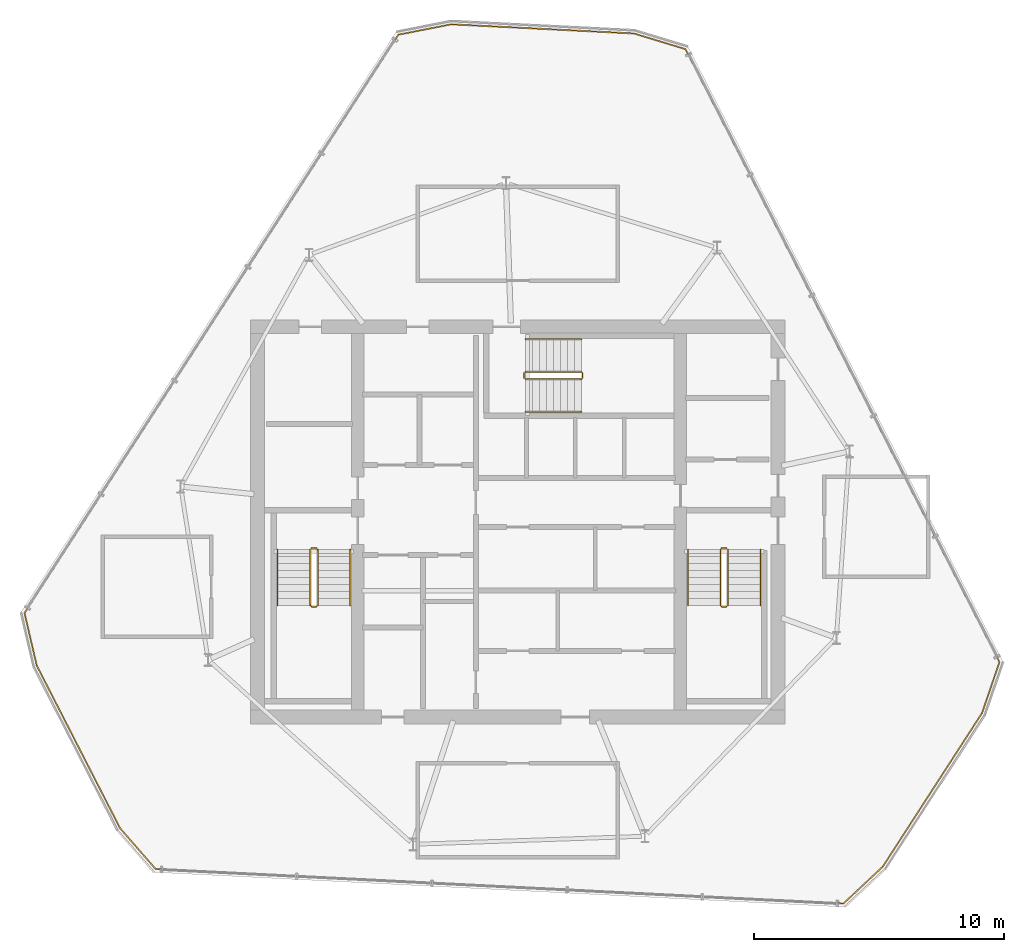
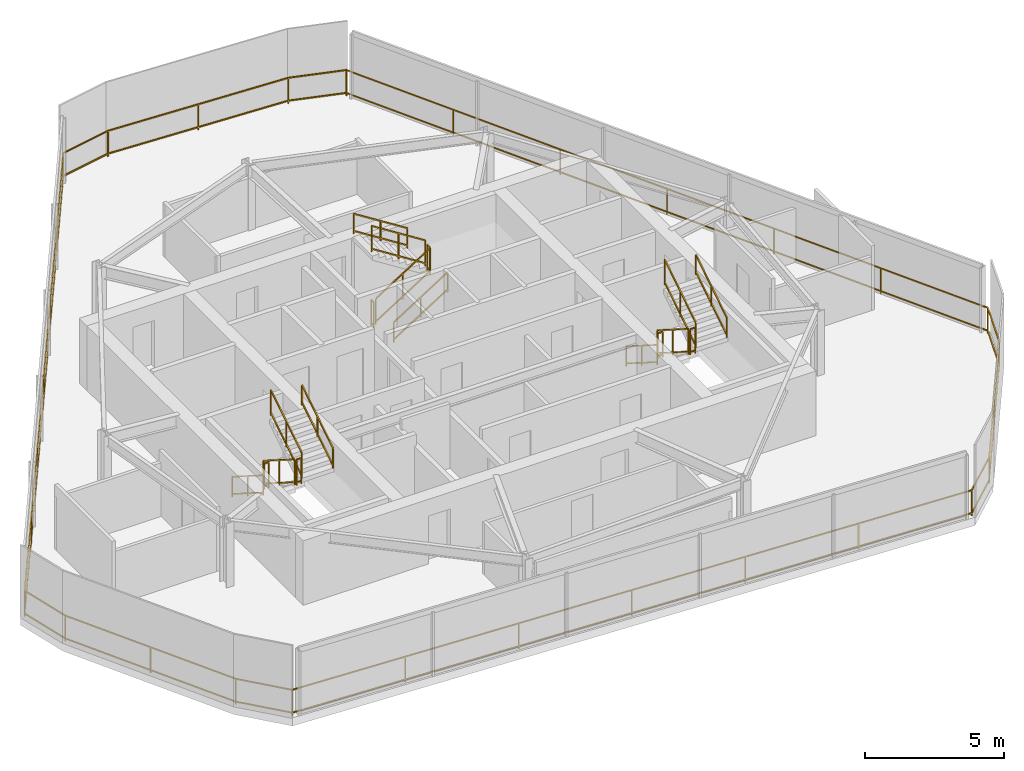
# One storey, part 16 of 16: 19 railings.
"""IFC4 building model written with IfcOpenShell, lengths in metres."""

from ifc_helpers import new_model, si_unit, direction, frame, origin, origin_2d, place, context, subcontext, project, spatial, rectangle, extrude, material, type_object, element, save


model = new_model("IFC4")

# Units and contexts
model_context = context("Model", 3, precision=1e-05, world=origin(), true_north=direction((0.0, 1.0)))
body_context = subcontext(model_context, "Body", "Model", "MODEL_VIEW")
ifc_project = project(units=[si_unit("LENGTHUNIT", "METRE"), si_unit("AREAUNIT", "SQUARE_METRE"), si_unit("VOLUMEUNIT", "CUBIC_METRE"), si_unit("PLANEANGLEUNIT", "RADIAN"), si_unit("MASSUNIT", "GRAM", prefix="KILO")], contexts=[model_context])

# Site, building, storey
site_placement = place(None, origin())
site = spatial("IfcSite", under=ifc_project, at=site_placement, CompositionType="ELEMENT")
building_placement = place(site_placement, origin())
building = spatial("IfcBuilding", under=site, at=building_placement, Name="Qarnah Convention Tower", CompositionType="ELEMENT")
storey_placement = place(building_placement, frame((0.0, 0.0, 283.5)))
storey = spatial("IfcBuildingStorey", under=building, at=storey_placement, Name="L76", CompositionType="ELEMENT", Elevation=283.5)

# Railings
ifc_material_1 = material(Name="Black anodised aluminium", Category="aluminium")
railing_type_1 = type_object("IfcRailingType", Name="RL-EXT-GUARD-1150", PredefinedType="GUARDRAIL", material=ifc_material_1)
railing_1_placement = place(storey_placement, frame((34.541015625, 46.2900390625, 0.0)))
element("IfcRailing", 1, at=railing_1_placement, inside=storey, type_object=railing_type_1, Name="L76 slab-edge perimeter safety guard 01", PredefinedType="GUARDRAIL", context=body_context, shape_type="SweptSolid", body=[
    extrude(rectangle(XDim=0.048095703125, YDim=0.048095703125, at=origin_2d()), frame((0.0, 0.0, 1.1259765625), z_axis=(0.998739396415, -0.050195797118, 0.0), x_axis=(0.050195797118, 0.998739396415, 0.0)), (0.0, 0.0, 1.0), 7.310302734375),
    extrude(rectangle(XDim=0.048095703125, YDim=0.048095703125, at=origin_2d()), frame((0.0, 0.0, 0.1201171875), z_axis=(0.998739396415, -0.050195797118, 0.0), x_axis=(0.050195797118, 0.998739396415, 0.0)), (0.0, 0.0, 1.0), 7.310302734375),
    extrude(rectangle(XDim=0.048095703125, YDim=0.048095703125, at=origin_2d()), frame((7.301025390625, -0.366943359375, 1.1259765625), z_axis=(0.956881139843, -0.290479748369, 0.0), x_axis=(0.290479748369, 0.956881139843, 0.0)), (0.0, 0.0, 1.0), 2.151611328125),
    extrude(rectangle(XDim=0.048095703125, YDim=0.048095703125, at=origin_2d()), frame((7.301025390625, -0.366943359375, 0.1201171875), z_axis=(0.956881139843, -0.290479748369, 0.0), x_axis=(0.290479748369, 0.956881139843, 0.0)), (0.0, 0.0, 1.0), 2.151611328125),
    extrude(rectangle(XDim=0.048095703125, YDim=0.048095703125, at=origin_2d()), frame((9.35986328125, -0.991943359375, 1.1259765625), z_axis=(0.455879296527, -0.890041609701, 0.0), x_axis=(0.890041609701, 0.455879296527, 0.0)), (0.0, 0.0, 1.0), 27.531494140625),
    extrude(rectangle(XDim=0.048095703125, YDim=0.048095703125, at=origin_2d()), frame((9.35986328125, -0.991943359375, 0.1201171875), z_axis=(0.455879296527, -0.890041609701, 0.0), x_axis=(0.890041609701, 0.455879296527, 0.0)), (0.0, 0.0, 1.0), 27.531494140625),
    extrude(rectangle(XDim=0.048095703125, YDim=0.048095703125, at=origin_2d()), frame((21.910888671875, -25.49609375, 1.1259765625), z_axis=(-0.323909512748, -0.946088065431, 0.0), x_axis=(0.946088065431, -0.323909512748, 0.0)), (0.0, 0.0, 1.0), 2.15185546875),
    extrude(rectangle(XDim=0.048095703125, YDim=0.048095703125, at=origin_2d()), frame((21.910888671875, -25.49609375, 0.1201171875), z_axis=(-0.323909512748, -0.946088065431, 0.0), x_axis=(0.946088065431, -0.323909512748, 0.0)), (0.0, 0.0, 1.0), 2.15185546875),
    extrude(rectangle(XDim=0.048095703125, YDim=0.048095703125, at=origin_2d()), frame((21.2138671875, -27.531982421875, 1.1259765625), z_axis=(-0.542744381438, -0.839897932142, 0.0), x_axis=(0.839897932142, -0.542744381438, 0.0)), (0.0, 0.0, 1.0), 7.310546875),
    extrude(rectangle(XDim=0.048095703125, YDim=0.048095703125, at=origin_2d()), frame((21.2138671875, -27.531982421875, 0.1201171875), z_axis=(-0.542744381438, -0.839897932142, 0.0), x_axis=(0.839897932142, -0.542744381438, 0.0)), (0.0, 0.0, 1.0), 7.310546875),
    extrude(rectangle(XDim=0.048095703125, YDim=0.048095703125, at=origin_2d()), frame((17.24609375, -33.672119140625, 1.1259765625), z_axis=(-0.72997925107, -0.683469306558, 0.0), x_axis=(0.683469306558, -0.72997925107, 0.0)), (0.0, 0.0, 1.0), 2.152099609375),
    extrude(rectangle(XDim=0.048095703125, YDim=0.048095703125, at=origin_2d()), frame((17.24609375, -33.672119140625, 0.1201171875), z_axis=(-0.72997925107, -0.683469306558, 0.0), x_axis=(0.683469306558, -0.72997925107, 0.0)), (0.0, 0.0, 1.0), 2.152099609375),
    extrude(rectangle(XDim=0.048095703125, YDim=0.048095703125, at=origin_2d()), frame((15.675048828125, -35.14306640625, 1.1259765625), z_axis=(-0.998737434279, 0.050234822293, 0.0), x_axis=(-0.050234822293, -0.998737434279, 0.0)), (0.0, 0.0, 1.0), 27.53173828125),
    extrude(rectangle(XDim=0.048095703125, YDim=0.048095703125, at=origin_2d()), frame((15.675048828125, -35.14306640625, 0.1201171875), z_axis=(-0.998737434279, 0.050234822293, 0.0), x_axis=(-0.050234822293, -0.998737434279, 0.0)), (0.0, 0.0, 1.0), 27.53173828125),
    extrude(rectangle(XDim=0.048095703125, YDim=0.048095703125, at=origin_2d()), frame((-11.822021484375, -33.760009765625, 1.1259765625), z_axis=(-0.657379714838, 0.753559493683, 0.0), x_axis=(-0.753559493683, -0.657379714838, 0.0)), (0.0, 0.0, 1.0), 2.152587890625),
    extrude(rectangle(XDim=0.048095703125, YDim=0.048095703125, at=origin_2d()), frame((-11.822021484375, -33.760009765625, 0.1201171875), z_axis=(-0.657379714838, 0.753559493683, 0.0), x_axis=(-0.753559493683, -0.657379714838, 0.0)), (0.0, 0.0, 1.0), 2.152587890625),
    extrude(rectangle(XDim=0.048095703125, YDim=0.048095703125, at=origin_2d()), frame((-13.237060546875, -32.137939453125, 1.1259765625), z_axis=(-0.455901678745, 0.890030145174, 0.0), x_axis=(-0.890030145174, -0.455901678745, 0.0)), (0.0, 0.0, 1.0), 7.310791015625),
    extrude(rectangle(XDim=0.048095703125, YDim=0.048095703125, at=origin_2d()), frame((-13.237060546875, -32.137939453125, 0.1201171875), z_axis=(-0.455901678745, 0.890030145174, 0.0), x_axis=(-0.890030145174, -0.455901678745, 0.0)), (0.0, 0.0, 1.0), 7.310791015625),
    extrude(rectangle(XDim=0.048095703125, YDim=0.048095703125, at=origin_2d()), frame((-16.570068359375, -25.631103515625, 1.1259765625), z_axis=(-0.226781301064, 0.97394570767, 0.0), x_axis=(-0.97394570767, -0.226781301064, 0.0)), (0.0, 0.0, 1.0), 2.152099609375),
    extrude(rectangle(XDim=0.048095703125, YDim=0.048095703125, at=origin_2d()), frame((-16.570068359375, -25.631103515625, 0.1201171875), z_axis=(-0.226781301064, 0.97394570767, 0.0), x_axis=(-0.97394570767, -0.226781301064, 0.0)), (0.0, 0.0, 1.0), 2.152099609375),
    extrude(rectangle(XDim=0.048095703125, YDim=0.048095703125, at=origin_2d()), frame((-17.05810546875, -23.53515625, 1.1259765625), z_axis=(0.542866968568, 0.839818703315, 0.0), x_axis=(-0.839818703315, 0.542866968568, 0.0)), (0.0, 0.0, 1.0), 27.52978515625),
    extrude(rectangle(XDim=0.048095703125, YDim=0.048095703125, at=origin_2d()), frame((-17.05810546875, -23.53515625, 0.1201171875), z_axis=(0.542866968568, 0.839818703315, 0.0), x_axis=(-0.839818703315, 0.542866968568, 0.0)), (0.0, 0.0, 1.0), 27.52978515625),
    extrude(rectangle(XDim=0.048095703125, YDim=0.048095703125, at=origin_2d()), frame((-2.113037109375, -0.4150390625, 1.1259765625), z_axis=(0.981250734984, 0.19273555742, 0.0), x_axis=(-0.19273555742, 0.981250734984, 0.0)), (0.0, 0.0, 1.0), 2.1533203125),
    extrude(rectangle(XDim=0.048095703125, YDim=0.048095703125, at=origin_2d()), frame((-2.113037109375, -0.4150390625, 0.1201171875), z_axis=(0.981250734984, 0.19273555742, 0.0), x_axis=(-0.19273555742, 0.981250734984, 0.0)), (0.0, 0.0, 1.0), 2.1533203125),
    extrude(rectangle(XDim=0.0419921875, YDim=0.0419921875, at=origin_2d()), origin(), (0.0, 0.0, 1.0), 1.101806640625),
    extrude(rectangle(XDim=0.0419921875, YDim=0.0419921875, at=origin_2d()), frame((3.650390625, -0.18359375, 0.0)), (0.0, 0.0, 1.0), 1.101806640625),
    extrude(rectangle(XDim=0.0419921875, YDim=0.0419921875, at=origin_2d()), frame((7.301025390625, -0.366943359375, 0.0)), (0.0, 0.0, 1.0), 1.101806640625),
    extrude(rectangle(XDim=0.0419921875, YDim=0.0419921875, at=origin_2d()), frame((9.35986328125, -0.991943359375, 0.0)), (0.0, 0.0, 1.0), 1.101806640625),
    extrude(rectangle(XDim=0.0419921875, YDim=0.0419921875, at=origin_2d()), frame((11.45166015625, -5.075927734375, 0.0)), (0.0, 0.0, 1.0), 1.101806640625),
    extrude(rectangle(XDim=0.0419921875, YDim=0.0419921875, at=origin_2d()), frame((13.54345703125, -9.159912109375, 0.0)), (0.0, 0.0, 1.0), 1.101806640625),
    extrude(rectangle(XDim=0.0419921875, YDim=0.0419921875, at=origin_2d()), frame((15.63525390625, -13.244140625, 0.0)), (0.0, 0.0, 1.0), 1.101806640625),
    extrude(rectangle(XDim=0.0419921875, YDim=0.0419921875, at=origin_2d()), frame((17.727294921875, -17.328125, 0.0)), (0.0, 0.0, 1.0), 1.101806640625),
    extrude(rectangle(XDim=0.0419921875, YDim=0.0419921875, at=origin_2d()), frame((19.819091796875, -21.412109375, 0.0)), (0.0, 0.0, 1.0), 1.101806640625),
    extrude(rectangle(XDim=0.0419921875, YDim=0.0419921875, at=origin_2d()), frame((21.910888671875, -25.49609375, 0.0)), (0.0, 0.0, 1.0), 1.101806640625),
    extrude(rectangle(XDim=0.0419921875, YDim=0.0419921875, at=origin_2d()), frame((21.2138671875, -27.531982421875, 0.0)), (0.0, 0.0, 1.0), 1.101806640625),
    extrude(rectangle(XDim=0.0419921875, YDim=0.0419921875, at=origin_2d()), frame((19.22998046875, -30.60205078125, 0.0)), (0.0, 0.0, 1.0), 1.101806640625),
    extrude(rectangle(XDim=0.0419921875, YDim=0.0419921875, at=origin_2d()), frame((17.24609375, -33.672119140625, 0.0)), (0.0, 0.0, 1.0), 1.101806640625),
    extrude(rectangle(XDim=0.0419921875, YDim=0.0419921875, at=origin_2d()), frame((15.675048828125, -35.14306640625, 0.0)), (0.0, 0.0, 1.0), 1.101806640625),
    extrude(rectangle(XDim=0.0419921875, YDim=0.0419921875, at=origin_2d()), frame((11.09228515625, -34.91259765625, 0.0)), (0.0, 0.0, 1.0), 1.101806640625),
    extrude(rectangle(XDim=0.0419921875, YDim=0.0419921875, at=origin_2d()), frame((6.50927734375, -34.68212890625, 0.0)), (0.0, 0.0, 1.0), 1.101806640625),
    extrude(rectangle(XDim=0.0419921875, YDim=0.0419921875, at=origin_2d()), frame((1.926513671875, -34.45166015625, 0.0)), (0.0, 0.0, 1.0), 1.101806640625),
    extrude(rectangle(XDim=0.0419921875, YDim=0.0419921875, at=origin_2d()), frame((-2.65625, -34.220947265625, 0.0)), (0.0, 0.0, 1.0), 1.101806640625),
    extrude(rectangle(XDim=0.0419921875, YDim=0.0419921875, at=origin_2d()), frame((-7.2392578125, -33.990478515625, 0.0)), (0.0, 0.0, 1.0), 1.101806640625),
    extrude(rectangle(XDim=0.0419921875, YDim=0.0419921875, at=origin_2d()), frame((-11.822021484375, -33.760009765625, 0.0)), (0.0, 0.0, 1.0), 1.101806640625),
    extrude(rectangle(XDim=0.0419921875, YDim=0.0419921875, at=origin_2d()), frame((-13.237060546875, -32.137939453125, 0.0)), (0.0, 0.0, 1.0), 1.101806640625),
    extrude(rectangle(XDim=0.0419921875, YDim=0.0419921875, at=origin_2d()), frame((-14.903564453125, -28.884521484375, 0.0)), (0.0, 0.0, 1.0), 1.101806640625),
    extrude(rectangle(XDim=0.0419921875, YDim=0.0419921875, at=origin_2d()), frame((-16.570068359375, -25.631103515625, 0.0)), (0.0, 0.0, 1.0), 1.101806640625),
    extrude(rectangle(XDim=0.0419921875, YDim=0.0419921875, at=origin_2d()), frame((-17.05810546875, -23.53515625, 0.0)), (0.0, 0.0, 1.0), 1.101806640625),
    extrude(rectangle(XDim=0.0419921875, YDim=0.0419921875, at=origin_2d()), frame((-14.5673828125, -19.681884765625, 0.0)), (0.0, 0.0, 1.0), 1.101806640625),
    extrude(rectangle(XDim=0.0419921875, YDim=0.0419921875, at=origin_2d()), frame((-12.076416015625, -15.828369140625, 0.0)), (0.0, 0.0, 1.0), 1.101806640625),
    extrude(rectangle(XDim=0.0419921875, YDim=0.0419921875, at=origin_2d()), frame((-9.58544921875, -11.97509765625, 0.0)), (0.0, 0.0, 1.0), 1.101806640625),
    extrude(rectangle(XDim=0.0419921875, YDim=0.0419921875, at=origin_2d()), frame((-7.0947265625, -8.121826171875, 0.0)), (0.0, 0.0, 1.0), 1.101806640625),
    extrude(rectangle(XDim=0.0419921875, YDim=0.0419921875, at=origin_2d()), frame((-4.60400390625, -4.268310546875, 0.0)), (0.0, 0.0, 1.0), 1.101806640625),
    extrude(rectangle(XDim=0.0419921875, YDim=0.0419921875, at=origin_2d()), frame((-2.113037109375, -0.4150390625, 0.0)), (0.0, 0.0, 1.0), 1.101806640625),
])
ifc_material_2 = material(Name="Structural steel S355JR", Category="steel")
railing_type_2 = type_object("IfcRailingType", Name="RL-STAIR-GUARD-1150", PredefinedType="GUARDRAIL", material=ifc_material_2)
railing_2_placement = place(storey_placement, frame((28.89990234375, 25.300048828125, 0.177734375)))
element("IfcRailing", 2, at=railing_2_placement, inside=storey, type_object=railing_type_2, Name="L76 ST-1 stair guard 1", PredefinedType="GUARDRAIL", context=body_context, shape_type="SweptSolid", body=[
    extrude(rectangle(XDim=0.048095703125, YDim=0.048095703125, at=origin_2d()), frame((0.0, 0.0, 1.1259765625), z_axis=(0.0, -0.84418770128, 0.536047689118), x_axis=(1.0, 0.0, 0.0)), (0.0, 0.0, 1.0), 2.6533203125),
    extrude(rectangle(XDim=0.048095703125, YDim=0.048095703125, at=origin_2d()), frame((0.0, 0.0, 0.1201171875), z_axis=(0.0, -0.84418770128, 0.536047689118), x_axis=(1.0, 0.0, 0.0)), (0.0, 0.0, 1.0), 2.6533203125),
    extrude(rectangle(XDim=0.0419921875, YDim=0.0419921875, at=origin_2d()), origin(), (0.0, 0.0, 1.0), 1.101806640625),
    extrude(rectangle(XDim=0.0419921875, YDim=0.0419921875, at=origin_2d()), frame((0.0, -1.1201171875, 0.711181640625)), (0.0, 0.0, 1.0), 1.101806640625),
    extrude(rectangle(XDim=0.0419921875, YDim=0.0419921875, at=origin_2d()), frame((0.0, -2.239990234375, 1.42236328125)), (0.0, 0.0, 1.0), 1.101806640625),
])
railing_3_placement = place(storey_placement, frame((28.949951171875, 23.010009765625, 1.60009765625)))
element("IfcRailing", 3, at=railing_3_placement, inside=storey, type_object=railing_type_2, Name="L76 ST-1 stair guard 2", PredefinedType="GUARDRAIL", context=body_context, shape_type="SweptSolid", body=[
    extrude(rectangle(XDim=0.048095703125, YDim=0.048095703125, at=origin_2d()), frame((0.0, 0.0, 1.1259765625), z_axis=(1.0, 0.0, 0.0), x_axis=(0.0, 1.0, 0.0)), (0.0, 0.0, 1.0), 0.199951171875),
    extrude(rectangle(XDim=0.048095703125, YDim=0.048095703125, at=origin_2d()), frame((0.0, 0.0, 0.1201171875), z_axis=(1.0, 0.0, 0.0), x_axis=(0.0, 1.0, 0.0)), (0.0, 0.0, 1.0), 0.199951171875),
    extrude(rectangle(XDim=0.0419921875, YDim=0.0419921875, at=origin_2d()), origin(), (0.0, 0.0, 1.0), 1.101806640625),
    extrude(rectangle(XDim=0.0419921875, YDim=0.0419921875, at=origin_2d()), frame((0.199951171875, 0.0, 0.0)), (0.0, 0.0, 1.0), 1.101806640625),
])
railing_4_placement = place(storey_placement, frame((29.199951171875, 23.06005859375, 1.77783203125)))
element("IfcRailing", 4, at=railing_4_placement, inside=storey, type_object=railing_type_2, Name="L76 ST-1 stair guard 3", PredefinedType="GUARDRAIL", context=body_context, shape_type="SweptSolid", body=[
    extrude(rectangle(XDim=0.048095703125, YDim=0.048095703125, at=origin_2d()), frame((0.0, 0.0, 1.1259765625), z_axis=(0.0, 0.8442293374, 0.53598211339), x_axis=(-1.0, 0.0, 0.0)), (0.0, 0.0, 1.0), 2.6533203125),
    extrude(rectangle(XDim=0.048095703125, YDim=0.048095703125, at=origin_2d()), frame((0.0, 0.0, 0.1201171875), z_axis=(0.0, 0.8442293374, 0.53598211339), x_axis=(-1.0, 0.0, 0.0)), (0.0, 0.0, 1.0), 2.6533203125),
    extrude(rectangle(XDim=0.0419921875, YDim=0.0419921875, at=origin_2d()), origin(), (0.0, 0.0, 1.0), 1.101806640625),
    extrude(rectangle(XDim=0.0419921875, YDim=0.0419921875, at=origin_2d()), frame((0.0, 1.1201171875, 0.7109375)), (0.0, 0.0, 1.0), 1.101806640625),
    extrude(rectangle(XDim=0.0419921875, YDim=0.0419921875, at=origin_2d()), frame((0.0, 2.239990234375, 1.422119140625)), (0.0, 0.0, 1.0), 1.101806640625),
])
railing_5_placement = place(storey_placement, frame((28.949951171875, 25.35009765625, 0.0)))
element("IfcRailing", 5, at=railing_5_placement, inside=storey, type_object=railing_type_2, Name="L76 ST-1 stair guard 4", PredefinedType="GUARDRAIL", context=body_context, shape_type="SweptSolid", body=[
    extrude(rectangle(XDim=0.048095703125, YDim=0.048095703125, at=origin_2d()), frame((0.0, 0.0, 1.1259765625), z_axis=(1.0, 0.0, 0.0), x_axis=(0.0, 1.0, 0.0)), (0.0, 0.0, 1.0), 0.199951171875),
    extrude(rectangle(XDim=0.048095703125, YDim=0.048095703125, at=origin_2d()), frame((0.0, 0.0, 0.1201171875), z_axis=(1.0, 0.0, 0.0), x_axis=(0.0, 1.0, 0.0)), (0.0, 0.0, 1.0), 0.199951171875),
    extrude(rectangle(XDim=0.0419921875, YDim=0.0419921875, at=origin_2d()), origin(), (0.0, 0.0, 1.0), 1.101806640625),
    extrude(rectangle(XDim=0.0419921875, YDim=0.0419921875, at=origin_2d()), frame((0.199951171875, 0.0, 0.0)), (0.0, 0.0, 1.0), 1.101806640625),
])
railing_6_placement = place(storey_placement, frame((45.300048828125, 25.300048828125, 0.177734375)))
element("IfcRailing", 6, at=railing_6_placement, inside=storey, type_object=railing_type_2, Name="L76 ST-2 stair guard 1", PredefinedType="GUARDRAIL", context=body_context, shape_type="SweptSolid", body=[
    extrude(rectangle(XDim=0.048095703125, YDim=0.048095703125, at=origin_2d()), frame((0.0, 0.0, 1.1259765625), z_axis=(0.0, -0.84418770128, 0.536047689118), x_axis=(1.0, 0.0, 0.0)), (0.0, 0.0, 1.0), 2.6533203125),
    extrude(rectangle(XDim=0.048095703125, YDim=0.048095703125, at=origin_2d()), frame((0.0, 0.0, 0.1201171875), z_axis=(0.0, -0.84418770128, 0.536047689118), x_axis=(1.0, 0.0, 0.0)), (0.0, 0.0, 1.0), 2.6533203125),
    extrude(rectangle(XDim=0.0419921875, YDim=0.0419921875, at=origin_2d()), origin(), (0.0, 0.0, 1.0), 1.101806640625),
    extrude(rectangle(XDim=0.0419921875, YDim=0.0419921875, at=origin_2d()), frame((0.0, -1.1201171875, 0.711181640625)), (0.0, 0.0, 1.0), 1.101806640625),
    extrude(rectangle(XDim=0.0419921875, YDim=0.0419921875, at=origin_2d()), frame((0.0, -2.239990234375, 1.42236328125)), (0.0, 0.0, 1.0), 1.101806640625),
])
railing_7_placement = place(storey_placement, frame((45.35009765625, 23.010009765625, 1.60009765625)))
element("IfcRailing", 7, at=railing_7_placement, inside=storey, type_object=railing_type_2, Name="L76 ST-2 stair guard 2", PredefinedType="GUARDRAIL", context=body_context, shape_type="SweptSolid", body=[
    extrude(rectangle(XDim=0.048095703125, YDim=0.048095703125, at=origin_2d()), frame((0.0, 0.0, 1.1259765625), z_axis=(1.0, 0.0, 0.0), x_axis=(0.0, 1.0, 0.0)), (0.0, 0.0, 1.0), 0.199951171875),
    extrude(rectangle(XDim=0.048095703125, YDim=0.048095703125, at=origin_2d()), frame((0.0, 0.0, 0.1201171875), z_axis=(1.0, 0.0, 0.0), x_axis=(0.0, 1.0, 0.0)), (0.0, 0.0, 1.0), 0.199951171875),
    extrude(rectangle(XDim=0.0419921875, YDim=0.0419921875, at=origin_2d()), origin(), (0.0, 0.0, 1.0), 1.101806640625),
    extrude(rectangle(XDim=0.0419921875, YDim=0.0419921875, at=origin_2d()), frame((0.199951171875, 0.0, 0.0)), (0.0, 0.0, 1.0), 1.101806640625),
])
railing_8_placement = place(storey_placement, frame((45.60009765625, 23.06005859375, 1.77783203125)))
element("IfcRailing", 8, at=railing_8_placement, inside=storey, type_object=railing_type_2, Name="L76 ST-2 stair guard 3", PredefinedType="GUARDRAIL", context=body_context, shape_type="SweptSolid", body=[
    extrude(rectangle(XDim=0.048095703125, YDim=0.048095703125, at=origin_2d()), frame((0.0, 0.0, 1.1259765625), z_axis=(0.0, 0.8442293374, 0.53598211339), x_axis=(-1.0, 0.0, 0.0)), (0.0, 0.0, 1.0), 2.6533203125),
    extrude(rectangle(XDim=0.048095703125, YDim=0.048095703125, at=origin_2d()), frame((0.0, 0.0, 0.1201171875), z_axis=(0.0, 0.8442293374, 0.53598211339), x_axis=(-1.0, 0.0, 0.0)), (0.0, 0.0, 1.0), 2.6533203125),
    extrude(rectangle(XDim=0.0419921875, YDim=0.0419921875, at=origin_2d()), origin(), (0.0, 0.0, 1.0), 1.101806640625),
    extrude(rectangle(XDim=0.0419921875, YDim=0.0419921875, at=origin_2d()), frame((0.0, 1.1201171875, 0.7109375)), (0.0, 0.0, 1.0), 1.101806640625),
    extrude(rectangle(XDim=0.0419921875, YDim=0.0419921875, at=origin_2d()), frame((0.0, 2.239990234375, 1.422119140625)), (0.0, 0.0, 1.0), 1.101806640625),
])
railing_9_placement = place(storey_placement, frame((45.35009765625, 25.35009765625, 0.0)))
element("IfcRailing", 9, at=railing_9_placement, inside=storey, type_object=railing_type_2, Name="L76 ST-2 stair guard 4", PredefinedType="GUARDRAIL", context=body_context, shape_type="SweptSolid", body=[
    extrude(rectangle(XDim=0.048095703125, YDim=0.048095703125, at=origin_2d()), frame((0.0, 0.0, 1.1259765625), z_axis=(1.0, 0.0, 0.0), x_axis=(0.0, 1.0, 0.0)), (0.0, 0.0, 1.0), 0.199951171875),
    extrude(rectangle(XDim=0.048095703125, YDim=0.048095703125, at=origin_2d()), frame((0.0, 0.0, 0.1201171875), z_axis=(1.0, 0.0, 0.0), x_axis=(0.0, 1.0, 0.0)), (0.0, 0.0, 1.0), 0.199951171875),
    extrude(rectangle(XDim=0.0419921875, YDim=0.0419921875, at=origin_2d()), origin(), (0.0, 0.0, 1.0), 1.101806640625),
    extrude(rectangle(XDim=0.0419921875, YDim=0.0419921875, at=origin_2d()), frame((0.199951171875, 0.0, 0.0)), (0.0, 0.0, 1.0), 1.101806640625),
])
railing_10_placement = place(storey_placement, frame((37.5, 32.10009765625, 0.177734375)))
element("IfcRailing", 10, at=railing_10_placement, inside=storey, type_object=railing_type_2, Name="L76 ST-3 stair guard 1", PredefinedType="GUARDRAIL", context=body_context, shape_type="SweptSolid", body=[
    extrude(rectangle(XDim=0.048095703125, YDim=0.048095703125, at=origin_2d()), frame((0.0, 0.0, 1.1259765625), z_axis=(0.84418770128, 0.0, 0.536047689118), x_axis=(0.0, 1.0, 0.0)), (0.0, 0.0, 1.0), 2.6533203125),
    extrude(rectangle(XDim=0.048095703125, YDim=0.048095703125, at=origin_2d()), frame((0.0, 0.0, 0.1201171875), z_axis=(0.84418770128, 0.0, 0.536047689118), x_axis=(0.0, 1.0, 0.0)), (0.0, 0.0, 1.0), 2.6533203125),
    extrude(rectangle(XDim=0.0419921875, YDim=0.0419921875, at=origin_2d()), origin(), (0.0, 0.0, 1.0), 1.101806640625),
    extrude(rectangle(XDim=0.0419921875, YDim=0.0419921875, at=origin_2d()), frame((1.1201171875, 0.0, 0.711181640625)), (0.0, 0.0, 1.0), 1.101806640625),
    extrude(rectangle(XDim=0.0419921875, YDim=0.0419921875, at=origin_2d()), frame((2.239990234375, 0.0, 1.42236328125)), (0.0, 0.0, 1.0), 1.101806640625),
])
railing_11_placement = place(storey_placement, frame((39.7900390625, 32.14990234375, 1.60009765625)))
element("IfcRailing", 11, at=railing_11_placement, inside=storey, type_object=railing_type_2, Name="L76 ST-3 stair guard 2", PredefinedType="GUARDRAIL", context=body_context, shape_type="SweptSolid", body=[
    extrude(rectangle(XDim=0.048095703125, YDim=0.048095703125, at=origin_2d()), frame((0.0, 0.0, 1.1259765625), z_axis=(0.0, 1.0, 0.0), x_axis=(-1.0, 0.0, 0.0)), (0.0, 0.0, 1.0), 0.2001953125),
    extrude(rectangle(XDim=0.048095703125, YDim=0.048095703125, at=origin_2d()), frame((0.0, 0.0, 0.1201171875), z_axis=(0.0, 1.0, 0.0), x_axis=(-1.0, 0.0, 0.0)), (0.0, 0.0, 1.0), 0.2001953125),
    extrude(rectangle(XDim=0.0419921875, YDim=0.0419921875, at=origin_2d()), origin(), (0.0, 0.0, 1.0), 1.101806640625),
    extrude(rectangle(XDim=0.0419921875, YDim=0.0419921875, at=origin_2d()), frame((0.0, 0.2001953125, 0.0)), (0.0, 0.0, 1.0), 1.101806640625),
])
railing_12_placement = place(storey_placement, frame((39.739990234375, 32.39990234375, 1.77783203125)))
element("IfcRailing", 12, at=railing_12_placement, inside=storey, type_object=railing_type_2, Name="L76 ST-3 stair guard 3", PredefinedType="GUARDRAIL", context=body_context, shape_type="SweptSolid", body=[
    extrude(rectangle(XDim=0.048095703125, YDim=0.048095703125, at=origin_2d()), frame((0.0, 0.0, 1.1259765625), z_axis=(-0.8442293374, 0.0, 0.53598211339), x_axis=(0.0, -1.0, 0.0)), (0.0, 0.0, 1.0), 2.6533203125),
    extrude(rectangle(XDim=0.048095703125, YDim=0.048095703125, at=origin_2d()), frame((0.0, 0.0, 0.1201171875), z_axis=(-0.8442293374, 0.0, 0.53598211339), x_axis=(0.0, -1.0, 0.0)), (0.0, 0.0, 1.0), 2.6533203125),
    extrude(rectangle(XDim=0.0419921875, YDim=0.0419921875, at=origin_2d()), origin(), (0.0, 0.0, 1.0), 1.101806640625),
    extrude(rectangle(XDim=0.0419921875, YDim=0.0419921875, at=origin_2d()), frame((-1.1201171875, 0.0, 0.7109375)), (0.0, 0.0, 1.0), 1.101806640625),
    extrude(rectangle(XDim=0.0419921875, YDim=0.0419921875, at=origin_2d()), frame((-2.239990234375, 0.0, 1.422119140625)), (0.0, 0.0, 1.0), 1.101806640625),
])
railing_13_placement = place(storey_placement, frame((37.449951171875, 32.14990234375, 0.0)))
element("IfcRailing", 13, at=railing_13_placement, inside=storey, type_object=railing_type_2, Name="L76 ST-3 stair guard 4", PredefinedType="GUARDRAIL", context=body_context, shape_type="SweptSolid", body=[
    extrude(rectangle(XDim=0.048095703125, YDim=0.048095703125, at=origin_2d()), frame((0.0, 0.0, 1.1259765625), z_axis=(0.0, 1.0, 0.0), x_axis=(-1.0, 0.0, 0.0)), (0.0, 0.0, 1.0), 0.2001953125),
    extrude(rectangle(XDim=0.048095703125, YDim=0.048095703125, at=origin_2d()), frame((0.0, 0.0, 0.1201171875), z_axis=(0.0, 1.0, 0.0), x_axis=(-1.0, 0.0, 0.0)), (0.0, 0.0, 1.0), 0.2001953125),
    extrude(rectangle(XDim=0.0419921875, YDim=0.0419921875, at=origin_2d()), origin(), (0.0, 0.0, 1.0), 1.101806640625),
    extrude(rectangle(XDim=0.0419921875, YDim=0.0419921875, at=origin_2d()), frame((0.0, 0.2001953125, 0.0)), (0.0, 0.0, 1.0), 1.101806640625),
])
railing_type_3 = type_object("IfcRailingType", Name="RL-STAIR-HAND-900", PredefinedType="HANDRAIL", material=ifc_material_2)
railing_14_placement = place(storey_placement, frame((27.60009765625, 25.300048828125, 0.177734375)))
element("IfcRailing", 14, at=railing_14_placement, inside=storey, type_object=railing_type_3, Name="L76 ST-1 stair handrail 1", PredefinedType="HANDRAIL", context=body_context, shape_type="SweptSolid", body=[
    extrude(rectangle(XDim=0.048095703125, YDim=0.048095703125, at=origin_2d()), frame((0.0, 0.0, 0.8759765625), z_axis=(0.0, -0.84418770128, 0.536047689118), x_axis=(1.0, 0.0, 0.0)), (0.0, 0.0, 1.0), 2.6533203125),
    extrude(rectangle(XDim=0.048095703125, YDim=0.048095703125, at=origin_2d()), frame((0.0, 0.0, 0.1201171875), z_axis=(0.0, -0.84418770128, 0.536047689118), x_axis=(1.0, 0.0, 0.0)), (0.0, 0.0, 1.0), 2.6533203125),
    extrude(rectangle(XDim=0.0419921875, YDim=0.0419921875, at=origin_2d()), origin(), (0.0, 0.0, 1.0), 0.851806640625),
    extrude(rectangle(XDim=0.0419921875, YDim=0.0419921875, at=origin_2d()), frame((0.0, -1.1201171875, 0.711181640625)), (0.0, 0.0, 1.0), 0.851806640625),
    extrude(rectangle(XDim=0.0419921875, YDim=0.0419921875, at=origin_2d()), frame((0.0, -2.239990234375, 1.42236328125)), (0.0, 0.0, 1.0), 0.851806640625),
])
railing_15_placement = place(storey_placement, frame((30.5, 23.06005859375, 1.77783203125)))
element("IfcRailing", 15, at=railing_15_placement, inside=storey, type_object=railing_type_3, Name="L76 ST-1 stair handrail 2", PredefinedType="HANDRAIL", context=body_context, shape_type="SweptSolid", body=[
    extrude(rectangle(XDim=0.048095703125, YDim=0.048095703125, at=origin_2d()), frame((0.0, 0.0, 0.8759765625), z_axis=(0.0, 0.8442293374, 0.53598211339), x_axis=(-1.0, 0.0, 0.0)), (0.0, 0.0, 1.0), 2.6533203125),
    extrude(rectangle(XDim=0.048095703125, YDim=0.048095703125, at=origin_2d()), frame((0.0, 0.0, 0.1201171875), z_axis=(0.0, 0.8442293374, 0.53598211339), x_axis=(-1.0, 0.0, 0.0)), (0.0, 0.0, 1.0), 2.6533203125),
    extrude(rectangle(XDim=0.0419921875, YDim=0.0419921875, at=origin_2d()), origin(), (0.0, 0.0, 1.0), 0.851806640625),
    extrude(rectangle(XDim=0.0419921875, YDim=0.0419921875, at=origin_2d()), frame((0.0, 1.1201171875, 0.7109375)), (0.0, 0.0, 1.0), 0.851806640625),
    extrude(rectangle(XDim=0.0419921875, YDim=0.0419921875, at=origin_2d()), frame((0.0, 2.239990234375, 1.422119140625)), (0.0, 0.0, 1.0), 0.851806640625),
])
railing_16_placement = place(storey_placement, frame((44.0, 25.300048828125, 0.177734375)))
element("IfcRailing", 16, at=railing_16_placement, inside=storey, type_object=railing_type_3, Name="L76 ST-2 stair handrail 1", PredefinedType="HANDRAIL", context=body_context, shape_type="SweptSolid", body=[
    extrude(rectangle(XDim=0.048095703125, YDim=0.048095703125, at=origin_2d()), frame((0.0, 0.0, 0.8759765625), z_axis=(0.0, -0.84418770128, 0.536047689118), x_axis=(1.0, 0.0, 0.0)), (0.0, 0.0, 1.0), 2.6533203125),
    extrude(rectangle(XDim=0.048095703125, YDim=0.048095703125, at=origin_2d()), frame((0.0, 0.0, 0.1201171875), z_axis=(0.0, -0.84418770128, 0.536047689118), x_axis=(1.0, 0.0, 0.0)), (0.0, 0.0, 1.0), 2.6533203125),
    extrude(rectangle(XDim=0.0419921875, YDim=0.0419921875, at=origin_2d()), origin(), (0.0, 0.0, 1.0), 0.851806640625),
    extrude(rectangle(XDim=0.0419921875, YDim=0.0419921875, at=origin_2d()), frame((0.0, -1.1201171875, 0.711181640625)), (0.0, 0.0, 1.0), 0.851806640625),
    extrude(rectangle(XDim=0.0419921875, YDim=0.0419921875, at=origin_2d()), frame((0.0, -2.239990234375, 1.42236328125)), (0.0, 0.0, 1.0), 0.851806640625),
])
railing_17_placement = place(storey_placement, frame((46.89990234375, 23.06005859375, 1.77783203125)))
element("IfcRailing", 17, at=railing_17_placement, inside=storey, type_object=railing_type_3, Name="L76 ST-2 stair handrail 2", PredefinedType="HANDRAIL", context=body_context, shape_type="SweptSolid", body=[
    extrude(rectangle(XDim=0.048095703125, YDim=0.048095703125, at=origin_2d()), frame((0.0, 0.0, 0.8759765625), z_axis=(0.0, 0.8442293374, 0.53598211339), x_axis=(-1.0, 0.0, 0.0)), (0.0, 0.0, 1.0), 2.6533203125),
    extrude(rectangle(XDim=0.048095703125, YDim=0.048095703125, at=origin_2d()), frame((0.0, 0.0, 0.1201171875), z_axis=(0.0, 0.8442293374, 0.53598211339), x_axis=(-1.0, 0.0, 0.0)), (0.0, 0.0, 1.0), 2.6533203125),
    extrude(rectangle(XDim=0.0419921875, YDim=0.0419921875, at=origin_2d()), origin(), (0.0, 0.0, 1.0), 0.851806640625),
    extrude(rectangle(XDim=0.0419921875, YDim=0.0419921875, at=origin_2d()), frame((0.0, 1.1201171875, 0.7109375)), (0.0, 0.0, 1.0), 0.851806640625),
    extrude(rectangle(XDim=0.0419921875, YDim=0.0419921875, at=origin_2d()), frame((0.0, 2.239990234375, 1.422119140625)), (0.0, 0.0, 1.0), 0.851806640625),
])
railing_18_placement = place(storey_placement, frame((37.5, 30.800048828125, 0.177734375)))
element("IfcRailing", 18, at=railing_18_placement, inside=storey, type_object=railing_type_3, Name="L76 ST-3 stair handrail 1", PredefinedType="HANDRAIL", context=body_context, shape_type="SweptSolid", body=[
    extrude(rectangle(XDim=0.048095703125, YDim=0.048095703125, at=origin_2d()), frame((0.0, 0.0, 0.8759765625), z_axis=(0.84418770128, 0.0, 0.536047689118), x_axis=(0.0, 1.0, 0.0)), (0.0, 0.0, 1.0), 2.6533203125),
    extrude(rectangle(XDim=0.048095703125, YDim=0.048095703125, at=origin_2d()), frame((0.0, 0.0, 0.1201171875), z_axis=(0.84418770128, 0.0, 0.536047689118), x_axis=(0.0, 1.0, 0.0)), (0.0, 0.0, 1.0), 2.6533203125),
    extrude(rectangle(XDim=0.0419921875, YDim=0.0419921875, at=origin_2d()), origin(), (0.0, 0.0, 1.0), 0.851806640625),
    extrude(rectangle(XDim=0.0419921875, YDim=0.0419921875, at=origin_2d()), frame((1.1201171875, 0.0, 0.711181640625)), (0.0, 0.0, 1.0), 0.851806640625),
    extrude(rectangle(XDim=0.0419921875, YDim=0.0419921875, at=origin_2d()), frame((2.239990234375, 0.0, 1.42236328125)), (0.0, 0.0, 1.0), 0.851806640625),
])
railing_19_placement = place(storey_placement, frame((39.739990234375, 33.699951171875, 1.77783203125)))
element("IfcRailing", 19, at=railing_19_placement, inside=storey, type_object=railing_type_3, Name="L76 ST-3 stair handrail 2", PredefinedType="HANDRAIL", context=body_context, shape_type="SweptSolid", body=[
    extrude(rectangle(XDim=0.048095703125, YDim=0.048095703125, at=origin_2d()), frame((0.0, 0.0, 0.8759765625), z_axis=(-0.8442293374, 0.0, 0.53598211339), x_axis=(0.0, -1.0, 0.0)), (0.0, 0.0, 1.0), 2.6533203125),
    extrude(rectangle(XDim=0.048095703125, YDim=0.048095703125, at=origin_2d()), frame((0.0, 0.0, 0.1201171875), z_axis=(-0.8442293374, 0.0, 0.53598211339), x_axis=(0.0, -1.0, 0.0)), (0.0, 0.0, 1.0), 2.6533203125),
    extrude(rectangle(XDim=0.0419921875, YDim=0.0419921875, at=origin_2d()), origin(), (0.0, 0.0, 1.0), 0.851806640625),
    extrude(rectangle(XDim=0.0419921875, YDim=0.0419921875, at=origin_2d()), frame((-1.1201171875, 0.0, 0.7109375)), (0.0, 0.0, 1.0), 0.851806640625),
    extrude(rectangle(XDim=0.0419921875, YDim=0.0419921875, at=origin_2d()), frame((-2.239990234375, 0.0, 1.422119140625)), (0.0, 0.0, 1.0), 0.851806640625),
])

save(model, "model.ifc")
